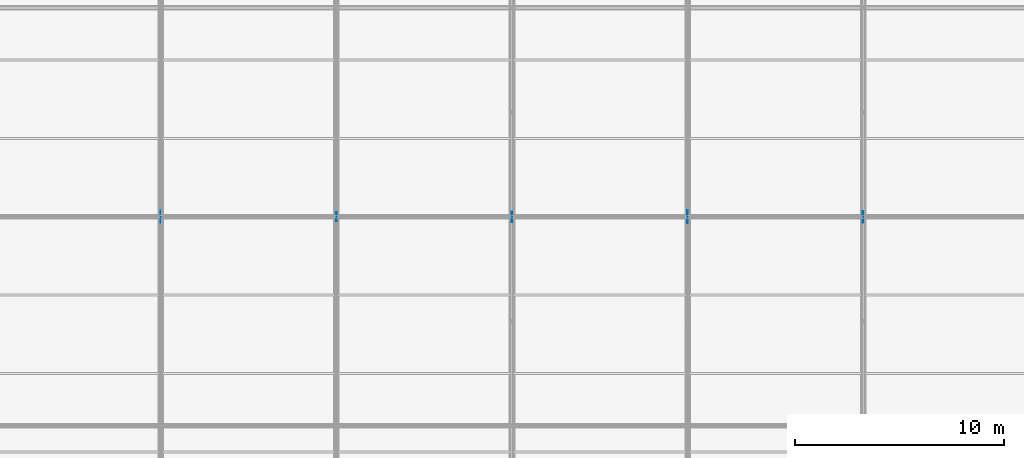
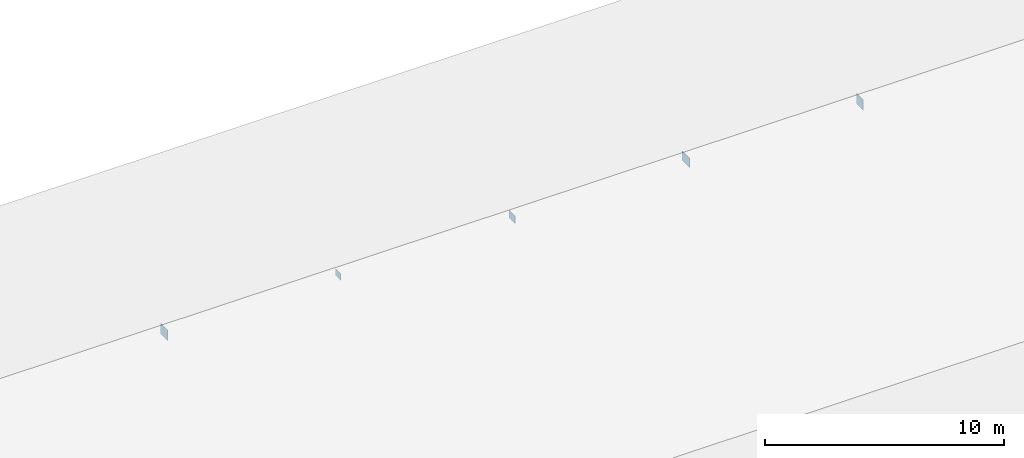
# One storey, part 171 of 194: 5 plates.
"""IFC4 building model written with IfcOpenShell, lengths in metres."""

from ifc_helpers import new_model, si_unit, direction, frame, origin, origin_2d, place, context, subcontext, project, spatial, rectangle, extrude, material, layer, layer_set, type_object, element, save


model = new_model("IFC4")

# Units and contexts
model_context = context("Model", 3, precision=1e-05, world=origin(), true_north=direction((0.0, 1.0)))
body_context = subcontext(model_context, "Body", "Model", "MODEL_VIEW")
ifc_project = project(units=[si_unit("LENGTHUNIT", "METRE"), si_unit("AREAUNIT", "SQUARE_METRE"), si_unit("VOLUMEUNIT", "CUBIC_METRE"), si_unit("PLANEANGLEUNIT", "RADIAN"), si_unit("MASSUNIT", "GRAM", prefix="KILO")], contexts=[model_context])

# Site, building, storey
site_placement = place(None, origin())
site = spatial("IfcSite", under=ifc_project, at=site_placement, CompositionType="ELEMENT")
building_placement = place(site_placement, origin())
building = spatial("IfcBuilding", under=site, at=building_placement, Name="Kazenagashi Tramway Depot", CompositionType="ELEMENT")
storey_placement = place(building_placement, frame((0.0, 0.0, 23.7)))
storey = spatial("IfcBuildingStorey", under=building, at=storey_placement, Name="ROOF", CompositionType="ELEMENT", Elevation=23.7)

# Plates
ifc_material = material(Name="Steel SN490B", Category="steel")
ifc_layer_1 = layer(ifc_material, 0.022)
ifc_layer_set_1 = layer_set([ifc_layer_1], Name="Steel SN490B")
plate_type_1 = type_object("IfcPlateType", Name="GP-01", PredefinedType="USERDEFINED", material=ifc_layer_set_1)
plate_1_placement = place(storey_placement, frame((103.6, 115.0, -10.875), z_axis=(0.0, 0.0, 1.0), x_axis=(0.0, 1.0, 0.0)))
element("IfcPlate", 1, at=plate_1_placement, inside=storey, type_object=plate_type_1, Name="Structural Node Plate GP-01 PLT-0030", ObjectType="GUSSET PLATE", PredefinedType="USERDEFINED", context=body_context, shape_type="SweptSolid", body=[
    extrude(rectangle(XDim=0.55, YDim=0.022, at=origin_2d()), origin(), (0.0, 0.0, 1.0), 0.55),
])
ifc_layer_2 = layer(ifc_material, 0.02)
ifc_layer_set_2 = layer_set([ifc_layer_2], Name="Steel SN490B")
plate_type_2 = type_object("IfcPlateType", Name="GP-11", PredefinedType="USERDEFINED", material=ifc_layer_set_2)
plate_2_placement = place(storey_placement, frame((70.0, 115.0, -10.86), z_axis=(0.0, 0.0, 1.0), x_axis=(0.0, 1.0, 0.0)))
element("IfcPlate", 2, at=plate_2_placement, inside=storey, type_object=plate_type_2, Name="Structural Node Plate GP-11 PLT-0014", ObjectType="GUSSET PLATE", PredefinedType="USERDEFINED", context=body_context, shape_type="SweptSolid", body=[
    extrude(rectangle(XDim=0.58, YDim=0.02, at=origin_2d()), origin(), (0.0, 0.0, 1.0), 0.52),
])
ifc_layer_3 = layer(ifc_material, 0.016)
ifc_layer_set_3 = layer_set([ifc_layer_3], Name="Steel SN490B")
plate_type_3 = type_object("IfcPlateType", Name="GP-12", PredefinedType="USERDEFINED", material=ifc_layer_set_3)
plate_3_placement = place(storey_placement, frame((78.4, 115.0, -10.77), z_axis=(0.0, 0.0, 1.0), x_axis=(0.0, 1.0, 0.0)))
element("IfcPlate", 3, at=plate_3_placement, inside=storey, type_object=plate_type_3, Name="Structural Node Plate GP-12 PLT-0018", ObjectType="GUSSET PLATE", PredefinedType="USERDEFINED", context=body_context, shape_type="SweptSolid", body=[
    extrude(rectangle(XDim=0.44, YDim=0.016, at=origin_2d()), origin(), (0.0, 0.0, 1.0), 0.34),
])
ifc_layer_4 = layer(ifc_material, 0.018)
ifc_layer_set_4 = layer_set([ifc_layer_4], Name="Steel SN490B")
plate_type_4 = type_object("IfcPlateType", Name="GP-13", PredefinedType="USERDEFINED", material=ifc_layer_set_4)
plate_4_placement = place(storey_placement, frame((86.8, 115.0, -10.8), z_axis=(0.0, 0.0, 1.0), x_axis=(0.0, 1.0, 0.0)))
element("IfcPlate", 4, at=plate_4_placement, inside=storey, type_object=plate_type_4, Name="Structural Node Plate GP-13 PLT-0022", ObjectType="GUSSET PLATE", PredefinedType="USERDEFINED", context=body_context, shape_type="SweptSolid", body=[
    extrude(rectangle(XDim=0.5, YDim=0.018, at=origin_2d()), origin(), (0.0, 0.0, 1.0), 0.4),
])
ifc_layer_5 = layer(ifc_material, 0.024)
ifc_layer_set_5 = layer_set([ifc_layer_5], Name="Steel SN490B")
plate_type_5 = type_object("IfcPlateType", Name="GP-14", PredefinedType="USERDEFINED", material=ifc_layer_set_5)
plate_5_placement = place(storey_placement, frame((95.2, 115.0, -10.84), z_axis=(0.0, 0.0, 1.0), x_axis=(0.0, 1.0, 0.0)))
element("IfcPlate", 5, at=plate_5_placement, inside=storey, type_object=plate_type_5, Name="Structural Node Plate GP-14 PLT-0026", ObjectType="GUSSET PLATE", PredefinedType="USERDEFINED", context=body_context, shape_type="SweptSolid", body=[
    extrude(rectangle(XDim=0.62, YDim=0.024, at=origin_2d()), origin(), (0.0, 0.0, 1.0), 0.48),
])

save(model, "model.ifc")
